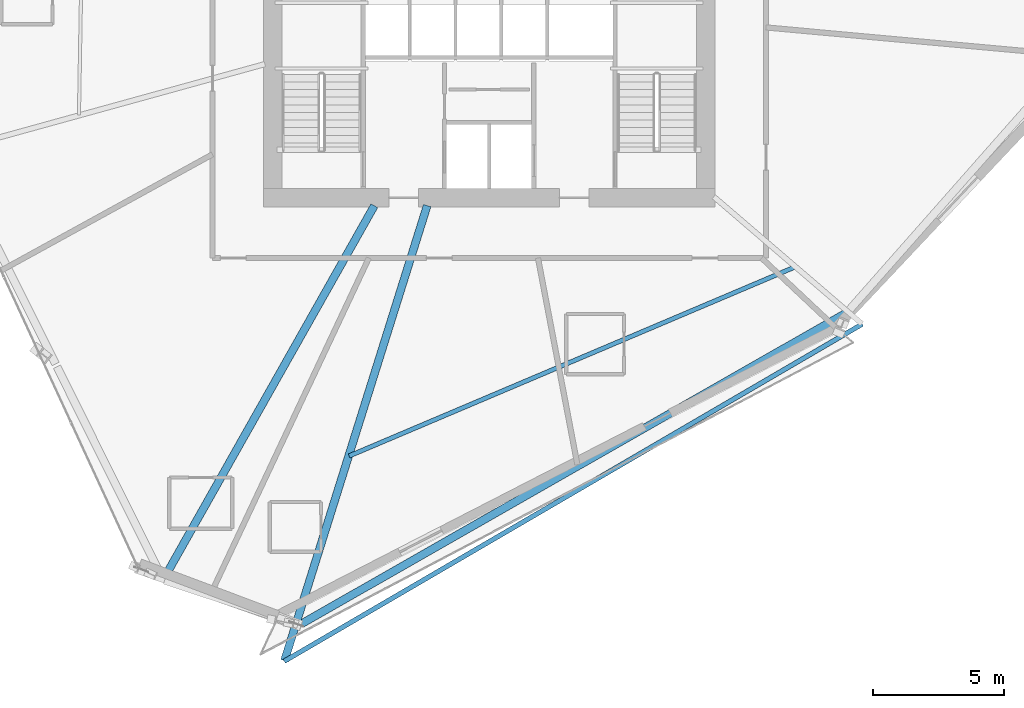
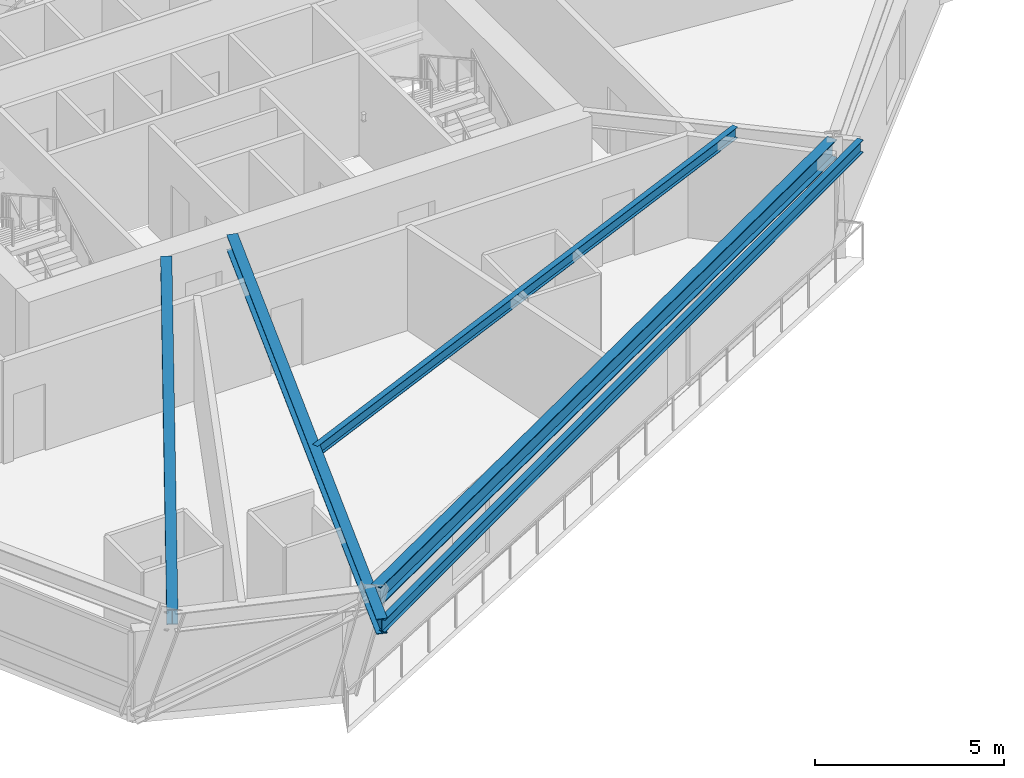
# One storey, part 4 of 22: 5 beams.
"""IFC4 building model written with IfcOpenShell, lengths in metres."""

from ifc_helpers import new_model, si_unit, direction, frame, origin, origin_2d, place, context, subcontext, project, spatial, i_section, extrude, source, transform, mapped, material, material_profile, profile_set, type_object, element, save


model = new_model("IFC4")

# Units and contexts
model_context = context("Model", 3, precision=1e-05, world=origin(), true_north=direction((0.0, 1.0)))
body_context = subcontext(model_context, "Body", "Model", "MODEL_VIEW")
ifc_project = project(units=[si_unit("LENGTHUNIT", "METRE"), si_unit("AREAUNIT", "SQUARE_METRE"), si_unit("VOLUMEUNIT", "CUBIC_METRE"), si_unit("PLANEANGLEUNIT", "RADIAN"), si_unit("MASSUNIT", "GRAM", prefix="KILO")], contexts=[model_context])

# Site, building, storey
site_placement = place(None, origin())
site = spatial("IfcSite", under=ifc_project, at=site_placement, CompositionType="ELEMENT")
building_placement = place(site_placement, origin())
building = spatial("IfcBuilding", under=site, at=building_placement, Name="Olszyna Solenne Hotel", CompositionType="ELEMENT")
storey_placement = place(building_placement, frame((0.0, 0.0, 95.050048828125)))
storey = spatial("IfcBuildingStorey", under=building, at=storey_placement, Name="L24", CompositionType="ELEMENT", Elevation=95.050048828125)

# Beams
ifc_material = material(Name="Steel S355J2", Category="steel")
ifc_material_profile_1 = material_profile(ifc_material, i_section(OverallWidth=0.300048828125, OverallDepth=0.60009765625, WebThickness=0.015380859375, FlangeThickness=0.030029296875, at=origin_2d()), Name="HEB 600", Category="load-bearing")
ifc_profile_set_1 = profile_set([ifc_material_profile_1], Name="Steel S355J2")
beam_type_1 = type_object("IfcBeamType", Name="BM-S2", PredefinedType="BEAM", material=ifc_profile_set_1)
shared_shape_1 = source(origin(), body_context, "Body", "SweptSolid", [
    extrude(i_section(OverallWidth=0.300048828125, OverallDepth=0.60009765625, WebThickness=0.015380859375, FlangeThickness=0.030029296875, at=origin_2d()), origin(), (0.0, 0.0, 1.0), 23.931396484375),
])
beam_1_placement = place(storey_placement, frame((30.81396484375, 2.8876953125, 3.0), z_axis=(0.868492895703, 0.49570161399, 0.0), x_axis=(-0.49570161399, 0.868492895703, 0.0)))
element("IfcBeam", 1, at=beam_1_placement, inside=storey, type_object=beam_type_1, Name="Perimeter spandrel beam BM-S2 B-L24-0729", PredefinedType="BEAM", context=body_context, shape_type="MappedRepresentation", body=[
    mapped(shared_shape_1, transform((0.0, 0.0, 0.0), x_axis=(1.0, 0.0, 0.0), y_axis=(0.0, 1.0, 0.0), z_axis=(0.0, 0.0, 1.0), scale=1.0)),
])
ifc_material_profile_2 = material_profile(ifc_material, i_section(OverallWidth=0.300048828125, OverallDepth=0.489990234375, WebThickness=0.011962890625, FlangeThickness=0.02294921875, at=origin_2d()), Name="HEA 500", Category="load-bearing")
ifc_profile_set_2 = profile_set([ifc_material_profile_2], Name="Steel S355J2")
beam_type_2 = type_object("IfcBeamType", Name="BM-G1", PredefinedType="BEAM", material=ifc_profile_set_2)
shared_shape_2 = source(origin(), body_context, "Body", "SweptSolid", [
    extrude(i_section(OverallWidth=0.300048828125, OverallDepth=0.489990234375, WebThickness=0.011962890625, FlangeThickness=0.02294921875, at=origin_2d()), origin(), (0.0, 0.0, 1.0), 16.314208984375),
])
beam_2_placement = place(storey_placement, frame((25.603515625, 4.635986328125, 3.054931640625), z_axis=(0.491521150918, 0.870865637283, 0.0), x_axis=(-0.870865637283, 0.491521150918, 0.0)))
element("IfcBeam", 2, at=beam_2_placement, inside=storey, type_object=beam_type_2, Name="Radial floor girder BM-G1 B-L24-0738", PredefinedType="BEAM", context=body_context, shape_type="MappedRepresentation", body=[
    mapped(shared_shape_2, transform((0.0, 0.0, 0.0), x_axis=(1.0, 0.0, 0.0), y_axis=(0.0, 1.0, 0.0), z_axis=(0.0, 0.0, 1.0), scale=1.0)),
])
shared_shape_3 = source(origin(), body_context, "Body", "SweptSolid", [
    extrude(i_section(OverallWidth=0.300048828125, OverallDepth=0.489990234375, WebThickness=0.011962890625, FlangeThickness=0.02294921875, at=origin_2d()), origin(), (0.0, 0.0, 1.0), 18.18310546875),
])
beam_3_placement = place(storey_placement, frame((30.1953125, 1.498046875, 3.054931640625), z_axis=(0.299255706108, 0.954172952018, 0.0), x_axis=(-0.954172952018, 0.299255706108, 0.0)))
element("IfcBeam", 3, at=beam_3_placement, inside=storey, type_object=beam_type_2, Name="Radial floor girder BM-G1 B-L24-0739", PredefinedType="BEAM", context=body_context, shape_type="MappedRepresentation", body=[
    mapped(shared_shape_3, transform((0.0, 0.0, 0.0), x_axis=(1.0, 0.0, 0.0), y_axis=(0.0, 1.0, 0.0), z_axis=(0.0, 0.0, 1.0), scale=1.0)),
])
ifc_material_profile_3 = material_profile(ifc_material, i_section(OverallWidth=0.169921875, OverallDepth=0.360107421875, WebThickness=0.008056640625, FlangeThickness=0.0126953125, at=origin_2d()), Name="IPE 360", Category="load-bearing")
ifc_profile_set_3 = profile_set([ifc_material_profile_3], Name="Steel S355J2")
beam_type_3 = type_object("IfcBeamType", Name="JS-01", PredefinedType="JOIST", material=ifc_profile_set_3)
shared_shape_4 = source(origin(), body_context, "Body", "SweptSolid", [
    extrude(i_section(OverallWidth=0.169921875, OverallDepth=0.360107421875, WebThickness=0.008056640625, FlangeThickness=0.0126953125, at=origin_2d()), origin(), (0.0, 0.0, 1.0), 18.461669921875),
])
beam_4_placement = place(storey_placement, frame((32.658935546875, 9.302734375, 3.119873046875), z_axis=(0.920687213185, 0.390301236839, 0.0), x_axis=(-0.390301236839, 0.920687213185, 0.0)))
element("IfcBeam", 4, at=beam_4_placement, inside=storey, type_object=beam_type_3, Name="Secondary composite floor joist JS-01 B-L24-0746", PredefinedType="JOIST", context=body_context, shape_type="MappedRepresentation", body=[
    mapped(shared_shape_4, transform((0.0, 0.0, 0.0), x_axis=(1.0, 0.0, 0.0), y_axis=(0.0, 1.0, 0.0), z_axis=(0.0, 0.0, 1.0), scale=1.0)),
])
ifc_material_profile_4 = material_profile(ifc_material, i_section(OverallWidth=0.179931640625, OverallDepth=0.39990234375, WebThickness=0.008544921875, FlangeThickness=0.013427734375, at=origin_2d()), Name="IPE 400", Category="load-bearing")
ifc_profile_set_4 = profile_set([ifc_material_profile_4], Name="Steel S355J2")
beam_type_4 = type_object("IfcBeamType", Name="BM-F5", PredefinedType="BEAM", material=ifc_profile_set_4)
shared_shape_5 = source(origin(), body_context, "Body", "SweptSolid", [
    extrude(i_section(OverallWidth=0.179931640625, OverallDepth=0.39990234375, WebThickness=0.008544921875, FlangeThickness=0.013427734375, at=origin_2d()), origin(), (0.0, 0.0, 1.0), 25.506591796875),
])
beam_5_placement = place(storey_placement, frame((30.189453125, 1.47900390625, 3.099853515625), z_axis=(0.863762931219, 0.503898401121, 0.0), x_axis=(-0.503898401121, 0.863762931219, 0.0)))
element("IfcBeam", 5, at=beam_5_placement, inside=storey, type_object=beam_type_4, Name="Loggia outer edge beam BM-F5 B-L24-0749", PredefinedType="BEAM", context=body_context, shape_type="MappedRepresentation", body=[
    mapped(shared_shape_5, transform((0.0, 0.0, 0.0), x_axis=(1.0, 0.0, 0.0), y_axis=(0.0, 1.0, 0.0), z_axis=(0.0, 0.0, 1.0), scale=1.0)),
])

save(model, "model.ifc")
